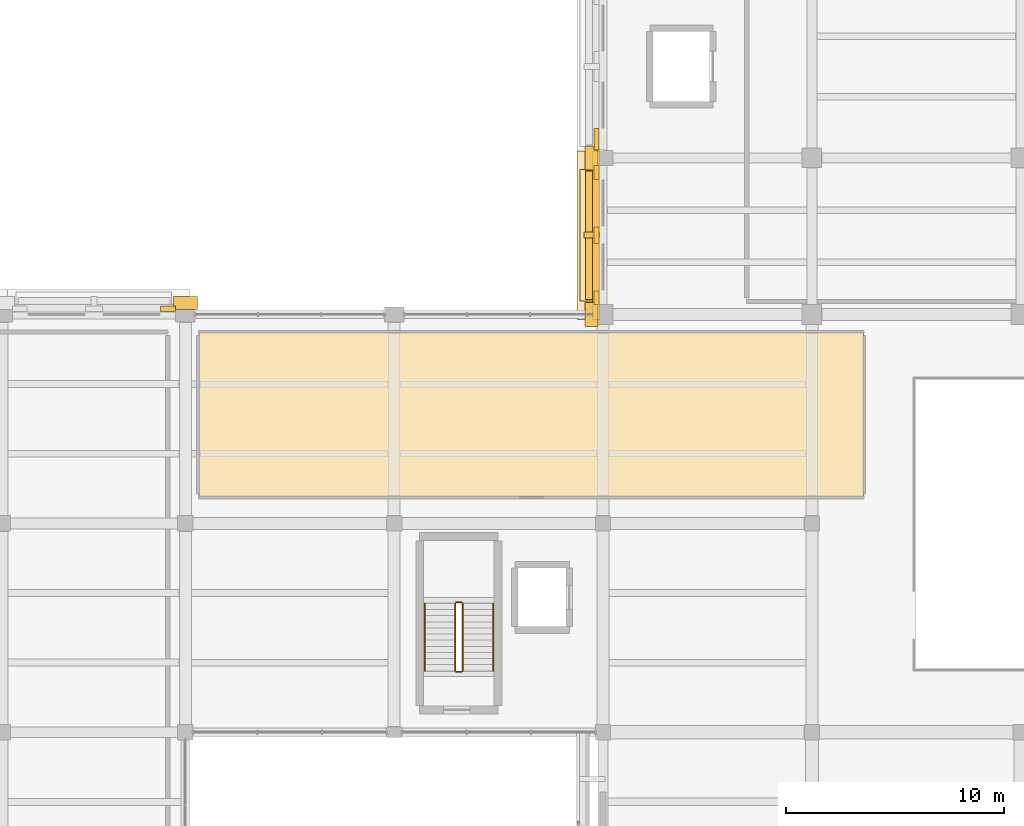
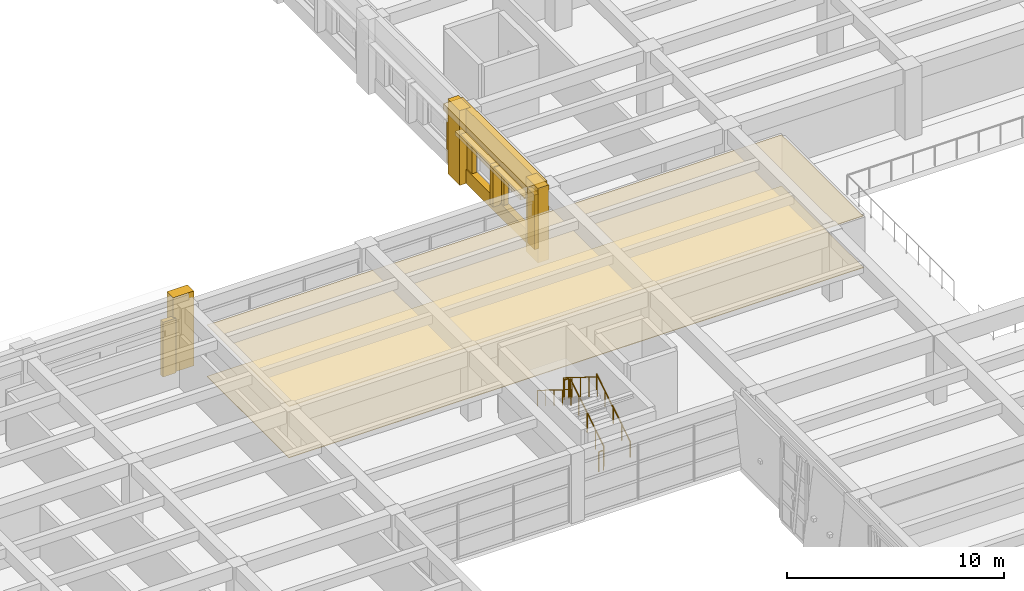
# One storey, part 56 of 62: 15 coverings, 6 railings, 1 shading device.
"""IFC4 building model written with IfcOpenShell, lengths in metres."""

from ifc_helpers import new_model, si_unit, direction, frame, origin, origin_2d, place, context, subcontext, project, spatial, polyline, rectangle, circle, outline, extrude, material, layer, layer_set, type_object, element, save


model = new_model("IFC4")

# Units and contexts
model_context = context("Model", 3, precision=1e-05, world=origin(), true_north=direction((0.0, 1.0)))
body_context = subcontext(model_context, "Body", "Model", "MODEL_VIEW")
ifc_project = project(units=[si_unit("LENGTHUNIT", "METRE"), si_unit("AREAUNIT", "SQUARE_METRE"), si_unit("VOLUMEUNIT", "CUBIC_METRE"), si_unit("PLANEANGLEUNIT", "RADIAN"), si_unit("MASSUNIT", "GRAM", prefix="KILO")], contexts=[model_context])

# Site, building, storey
site_placement = place(None, origin())
site = spatial("IfcSite", under=ifc_project, at=site_placement, CompositionType="ELEMENT")
building_placement = place(site_placement, origin())
building = spatial("IfcBuilding", under=site, at=building_placement, Name="Bempovik Park Faculty of Sciences", CompositionType="ELEMENT")
storey_placement = place(building_placement, frame((0.0, 0.0, 9.89990234375)))
storey = spatial("IfcBuildingStorey", under=building, at=storey_placement, Name="L02", CompositionType="ELEMENT", Elevation=9.89990234375)

# Coverings
ifc_material_1 = material(Name="Acoustic mineral ceiling tile")
ifc_layer_1 = layer(ifc_material_1, 0.0400390625)
ifc_layer_set_1 = layer_set([ifc_layer_1], Name="Acoustic mineral ceiling tile")
covering_type_1 = type_object("IfcCoveringType", Name="CE-01 Acoustic Ceiling 40mm", PredefinedType="CEILING", material=ifc_layer_set_1)
covering_1_placement = place(storey_placement, frame((0.0, 0.0, 2.880126953125)))
element("IfcCovering", 1, at=covering_1_placement, inside=storey, type_object=covering_type_1, Name="L02 Atrium Bridge Seminar Room Acoustic Ceiling", PredefinedType="CEILING", context=body_context, shape_type="SweptSolid", body=[
    extrude(outline(polyline([(41.429931640625, 78.6298828125), (71.969970703125, 78.6298828125), (71.969970703125, 86.169921875), (41.429931640625, 86.169921875), (41.429931640625, 78.6298828125)])), origin(), (0.0, 0.0, 1.0), 0.0400390625),
])
ifc_material_2 = material(Name="Precast concrete C40/50", Category="concrete")
ifc_layer_2 = layer(ifc_material_2, 0.179931640625)
ifc_layer_set_2 = layer_set([ifc_layer_2], Name="Precast concrete C40/50")
covering_type_2 = type_object("IfcCoveringType", Name="CL-02 Classical Cornice Band 180mm", PredefinedType="CLADDING", material=ifc_layer_set_2)
covering_2_placement = place(storey_placement, frame((59.3349609375, 90.64990234375, 3.83984375), z_axis=(0.0, 0.0, 1.0), x_axis=(1.0, 0.0, 0.0)))
element("IfcCovering", 2, at=covering_2_placement, inside=storey, type_object=covering_type_2, Name="L02 Classical Projecting Dentil Cornice EW-L02-7539", PredefinedType="CLADDING", context=body_context, shape_type="SweptSolid", body=[
    extrude(rectangle(XDim=1.050048828125, YDim=7.74609375, at=origin_2d()), origin(), (0.0, 0.0, 1.0), 0.360107421875),
])
covering_3_placement = place(storey_placement, frame((59.39990234375, 90.64990234375, 2.91015625), z_axis=(0.0, 0.0, 1.0), x_axis=(1.0, 0.0, 0.0)))
element("IfcCovering", 3, at=covering_3_placement, inside=storey, type_object=covering_type_2, Name="L02 Classical Stone Solar Window Hood EW-L02-7539", PredefinedType="CLADDING", context=body_context, shape_type="SweptSolid", body=[
    extrude(rectangle(XDim=0.919921875, YDim=6.0458984375, at=origin_2d()), origin(), (0.0, 0.0, 1.0), 0.219970703125),
])
ifc_material_3 = material(Name="White reconstituted limestone precast C40/50", Category="masonry")
ifc_layer_3 = layer(ifc_material_3, 0.239990234375)
ifc_layer_set_3 = layer_set([ifc_layer_3], Name="White reconstituted limestone precast C40/50")
covering_type_3 = type_object("IfcCoveringType", Name="CL-03 Classical Fluted Limestone Pilaster 240mm", PredefinedType="CLADDING", material=ifc_layer_set_3)
covering_4_placement = place(storey_placement, frame((40.800048828125, 87.530029296875, 0.0), z_axis=(0.0, 0.0, 1.0), x_axis=(1.0, 0.0, 0.0)))
element("IfcCovering", 4, at=covering_4_placement, inside=storey, type_object=covering_type_3, Name="L02 Classical Fluted Stone Pilaster PIL-BA-L02-408-875", PredefinedType="CLADDING", context=body_context, shape_type="SweptSolid", body=[
    extrude(rectangle(XDim=1.10009765625, YDim=0.580078125, at=origin_2d()), origin(), (0.0, 0.0, 1.0), 4.199951171875),
])
covering_5_placement = place(storey_placement, frame((40.006103515625, 87.27001953125, 0.0), z_axis=(0.0, 0.0, 1.0), x_axis=(1.0, 0.0, 0.0)))
element("IfcCovering", 5, at=covering_5_placement, inside=storey, type_object=covering_type_3, Name="L02 White Limestone Wall Cheek EW-L02-7490-4", PredefinedType="CLADDING", context=body_context, shape_type="SweptSolid", body=[
    extrude(rectangle(XDim=0.683837890625, YDim=0.239990234375, at=origin_2d()), origin(), (0.0, 0.0, 1.0), 3.080078125),
])
covering_6_placement = place(storey_placement, frame((59.68994140625, 90.64990234375, 2.919921875), z_axis=(0.0, 0.0, 1.0), x_axis=(1.0, 0.0, 0.0)))
element("IfcCovering", 6, at=covering_6_placement, inside=storey, type_object=covering_type_3, Name="L02 Classical Limestone Spandrel Entablature EW-L02-7539", PredefinedType="CLADDING", context=body_context, shape_type="SweptSolid", body=[
    extrude(rectangle(XDim=0.340087890625, YDim=7.74609375, at=origin_2d()), origin(), (0.0, 0.0, 1.0), 1.280029296875),
])
covering_7_placement = place(storey_placement, frame((59.68994140625, 90.64990234375, 0.0), z_axis=(0.0, 0.0, 1.0), x_axis=(1.0, 0.0, 0.0)))
element("IfcCovering", 7, at=covering_7_placement, inside=storey, type_object=covering_type_3, Name="L02 Classical Limestone Sill Dado EW-L02-7539", PredefinedType="CLADDING", context=body_context, shape_type="SweptSolid", body=[
    extrude(rectangle(XDim=0.340087890625, YDim=7.74609375, at=origin_2d()), origin(), (0.0, 0.0, 1.0), 0.780029296875),
])
for number, where, z_axis, x_axis, name in (
    (8, (59.469970703125, 87.0, 0.0), (0.0, 0.0, 1.0), (1.0, 0.0, 0.0), "L02 Classical Fluted Stone Pilaster PIL-BA-L02-595-870"),
    (9, (59.469970703125, 94.199951171875, 0.0), (0.0, 0.0, 1.0), (1.0, 0.0, 0.0), "L02 Classical Fluted Stone Pilaster PIL-BA-L02-595-942"),
):
    element("IfcCovering", number, at=place(storey_placement, frame(where, z_axis=z_axis, x_axis=x_axis)), inside=storey, type_object=covering_type_3, Name=name, PredefinedType="CLADDING", context=body_context, shape_type="SweptSolid", body=[
        extrude(rectangle(XDim=0.580078125, YDim=1.10009765625, at=origin_2d()), origin(), (0.0, 0.0, 1.0), 4.199951171875),
    ])
covering_8_placement = place(storey_placement, frame((59.699951171875, 87.7705078125, 0.0), z_axis=(0.0, 0.0, 1.0), x_axis=(1.0, 0.0, 0.0)))
element("IfcCovering", 10, at=covering_8_placement, inside=storey, type_object=covering_type_3, Name="L02 White Limestone Wall Cheek EW-L02-7539-0", PredefinedType="CLADDING", context=body_context, shape_type="SweptSolid", body=[
    extrude(rectangle(XDim=0.239990234375, YDim=0.636962890625, at=origin_2d()), origin(), (0.0, 0.0, 1.0), 3.080078125),
])
covering_9_placement = place(storey_placement, frame((59.699951171875, 90.64990234375, 0.0), z_axis=(0.0, 0.0, 1.0), x_axis=(1.0, 0.0, 0.0)))
element("IfcCovering", 11, at=covering_9_placement, inside=storey, type_object=covering_type_3, Name="L02 White Limestone Wall Cheek EW-L02-7539-2", PredefinedType="CLADDING", context=body_context, shape_type="SweptSolid", body=[
    extrude(rectangle(XDim=0.239990234375, YDim=0.76220703125, at=origin_2d()), origin(), (0.0, 0.0, 1.0), 3.080078125),
])
covering_10_placement = place(storey_placement, frame((59.699951171875, 93.529541015625, 0.0), z_axis=(0.0, 0.0, 1.0), x_axis=(1.0, 0.0, 0.0)))
element("IfcCovering", 12, at=covering_10_placement, inside=storey, type_object=covering_type_3, Name="L02 White Limestone Wall Cheek EW-L02-7539-4", PredefinedType="CLADDING", context=body_context, shape_type="SweptSolid", body=[
    extrude(rectangle(XDim=0.239990234375, YDim=0.636962890625, at=origin_2d()), origin(), (0.0, 0.0, 1.0), 3.080078125),
])
covering_11_placement = place(storey_placement, frame((59.489990234375, 90.64990234375, 0.7001953125), z_axis=(0.0, 0.0, 1.0), x_axis=(1.0, 0.0, 0.0)))
element("IfcCovering", 13, at=covering_11_placement, inside=storey, type_object=covering_type_3, Name="L02 Classical Vertical Stone Shading Fin EW-L02-7539", PredefinedType="CLADDING", context=body_context, shape_type="SweptSolid", body=[
    extrude(rectangle(XDim=0.719970703125, YDim=0.280029296875, at=origin_2d()), origin(), (0.0, 0.0, 1.0), 2.25),
])
covering_12_placement = place(storey_placement, frame((59.699951171875, 95.0458984375, 0.0), z_axis=(0.0, 0.0, 1.0), x_axis=(1.0, 0.0, 0.0)))
element("IfcCovering", 14, at=covering_12_placement, inside=storey, type_object=covering_type_3, Name="L02 White Limestone Wall Cheek EW-L02-7553-0", PredefinedType="CLADDING", context=body_context, shape_type="SweptSolid", body=[
    extrude(rectangle(XDim=0.239990234375, YDim=0.98779296875, at=origin_2d()), origin(), (0.0, 0.0, 1.0), 3.080078125),
])
ifc_material_4 = material(Name="Polished mineral terrazzo flooring")
ifc_layer_4 = layer(ifc_material_4, 0.030029296875)
ifc_layer_set_4 = layer_set([ifc_layer_4], Name="Polished mineral terrazzo flooring")
covering_type_4 = type_object("IfcCoveringType", Name="FL-01 Terrazzo Flooring 30mm", PredefinedType="FLOORING", material=ifc_layer_set_4)
covering_13_placement = place(storey_placement, origin())
element("IfcCovering", 15, at=covering_13_placement, inside=storey, type_object=covering_type_4, Name="L02 Atrium Bridge Seminar Room Terrazzo Flooring", PredefinedType="FLOORING", context=body_context, shape_type="SweptSolid", body=[
    extrude(outline(polyline([(41.429931640625, 78.6298828125), (71.969970703125, 78.6298828125), (71.969970703125, 86.169921875), (41.429931640625, 86.169921875), (41.429931640625, 78.6298828125)])), origin(), (0.0, 0.0, 1.0), 0.030029296875),
])

# Railings
ifc_material_5 = material(Name="Anodised architectural bronze")
railing_type_1 = type_object("IfcRailingType", Name="GR-01 Guardrail 1120mm", PredefinedType="GUARDRAIL", material=ifc_material_5)
railing_1_placement = place(storey_placement, frame((53.550048828125, 70.625, 0.175048828125)))
element("IfcRailing", 16, at=railing_1_placement, inside=storey, type_object=railing_type_1, Name="L02 ST-4 Stair Guard 1", PredefinedType="GUARDRAIL", context=body_context, shape_type="SweptSolid", body=[
    extrude(circle(Radius=0.02392578125, at=origin_2d()), frame((0.0, 0.0, 1.09619140625), z_axis=(0.0, 0.84905059285, 0.528311547082), x_axis=(-1.0, 0.0, 0.0)), (0.0, 0.0, 1.0), 3.643798828125),
    extrude(circle(Radius=0.02099609375, at=origin_2d()), origin(), (0.0, 0.0, 1.0), 1.072021484375),
    extrude(circle(Radius=0.02099609375, at=origin_2d()), frame((0.0, 0.7734375, 0.481201171875)), (0.0, 0.0, 1.0), 1.072021484375),
    extrude(circle(Radius=0.02099609375, at=origin_2d()), frame((0.0, 1.546875, 0.96240234375)), (0.0, 0.0, 1.0), 1.072021484375),
    extrude(circle(Radius=0.02099609375, at=origin_2d()), frame((0.0, 2.3203125, 1.44384765625)), (0.0, 0.0, 1.0), 1.072021484375),
    extrude(circle(Radius=0.02099609375, at=origin_2d()), frame((0.0, 3.09375, 1.925048828125)), (0.0, 0.0, 1.0), 1.072021484375),
])
railing_2_placement = place(storey_placement, frame((53.5, 73.768798828125, 2.10009765625)))
element("IfcRailing", 17, at=railing_2_placement, inside=storey, type_object=railing_type_1, Name="L02 ST-4 Stair Guard 2", PredefinedType="GUARDRAIL", context=body_context, shape_type="SweptSolid", body=[
    extrude(circle(Radius=0.02392578125, at=origin_2d()), frame((0.0, 0.0, 1.09619140625), z_axis=(-1.0, 0.0, 0.0), x_axis=(0.0, -1.0, 0.0)), (0.0, 0.0, 1.0), 0.25),
    extrude(circle(Radius=0.02099609375, at=origin_2d()), origin(), (0.0, 0.0, 1.0), 1.072021484375),
    extrude(circle(Radius=0.02099609375, at=origin_2d()), frame((-0.25, 0.0, 0.0)), (0.0, 0.0, 1.0), 1.072021484375),
])
railing_3_placement = place(storey_placement, frame((53.199951171875, 73.71875, 2.275146484375)))
element("IfcRailing", 18, at=railing_3_placement, inside=storey, type_object=railing_type_1, Name="L02 ST-4 Stair Guard 3", PredefinedType="GUARDRAIL", context=body_context, shape_type="SweptSolid", body=[
    extrude(circle(Radius=0.02392578125, at=origin_2d()), frame((0.0, 0.0, 1.09619140625), z_axis=(0.0, -0.84905059285, 0.528311547082), x_axis=(1.0, 0.0, 0.0)), (0.0, 0.0, 1.0), 3.643798828125),
    extrude(circle(Radius=0.02099609375, at=origin_2d()), origin(), (0.0, 0.0, 1.0), 1.072021484375),
    extrude(circle(Radius=0.02099609375, at=origin_2d()), frame((0.0, -0.7734375, 0.481201171875)), (0.0, 0.0, 1.0), 1.072021484375),
    extrude(circle(Radius=0.02099609375, at=origin_2d()), frame((0.0, -1.546875, 0.96240234375)), (0.0, 0.0, 1.0), 1.072021484375),
    extrude(circle(Radius=0.02099609375, at=origin_2d()), frame((0.0, -2.3203125, 1.44384765625)), (0.0, 0.0, 1.0), 1.072021484375),
    extrude(circle(Radius=0.02099609375, at=origin_2d()), frame((0.0, -3.09375, 1.925048828125)), (0.0, 0.0, 1.0), 1.072021484375),
])
railing_4_placement = place(storey_placement, frame((53.5, 70.574951171875, 0.0)))
element("IfcRailing", 19, at=railing_4_placement, inside=storey, type_object=railing_type_1, Name="L02 ST-4 Stair Guard 4", PredefinedType="GUARDRAIL", context=body_context, shape_type="SweptSolid", body=[
    extrude(circle(Radius=0.02392578125, at=origin_2d()), frame((0.0, 0.0, 1.09619140625), z_axis=(-1.0, 0.0, 0.0), x_axis=(0.0, -1.0, 0.0)), (0.0, 0.0, 1.0), 0.25),
    extrude(circle(Radius=0.02099609375, at=origin_2d()), origin(), (0.0, 0.0, 1.0), 1.072021484375),
    extrude(circle(Radius=0.02099609375, at=origin_2d()), frame((-0.25, 0.0, 0.0)), (0.0, 0.0, 1.0), 1.072021484375),
])
railing_type_2 = type_object("IfcRailingType", Name="HR-01 Wall Handrail 900mm", PredefinedType="HANDRAIL", material=ifc_material_5)
railing_5_placement = place(storey_placement, frame((54.949951171875, 70.625, 0.175048828125)))
element("IfcRailing", 20, at=railing_5_placement, inside=storey, type_object=railing_type_2, Name="L02 ST-4 Stair Handrail 1", PredefinedType="HANDRAIL", context=body_context, shape_type="SweptSolid", body=[
    extrude(circle(Radius=0.02392578125, at=origin_2d()), frame((0.0, 0.0, 0.8759765625), z_axis=(0.0, 0.84905059285, 0.528311547082), x_axis=(-1.0, 0.0, 0.0)), (0.0, 0.0, 1.0), 3.643798828125),
    extrude(circle(Radius=0.02099609375, at=origin_2d()), origin(), (0.0, 0.0, 1.0), 0.851806640625),
    extrude(circle(Radius=0.02099609375, at=origin_2d()), frame((0.0, 0.7734375, 0.481201171875)), (0.0, 0.0, 1.0), 0.851806640625),
    extrude(circle(Radius=0.02099609375, at=origin_2d()), frame((0.0, 1.546875, 0.96240234375)), (0.0, 0.0, 1.0), 0.851806640625),
    extrude(circle(Radius=0.02099609375, at=origin_2d()), frame((0.0, 2.3203125, 1.44384765625)), (0.0, 0.0, 1.0), 0.851806640625),
    extrude(circle(Radius=0.02099609375, at=origin_2d()), frame((0.0, 3.09375, 1.925048828125)), (0.0, 0.0, 1.0), 0.851806640625),
])
railing_6_placement = place(storey_placement, frame((51.800048828125, 73.71875, 2.275146484375)))
element("IfcRailing", 21, at=railing_6_placement, inside=storey, type_object=railing_type_2, Name="L02 ST-4 Stair Handrail 2", PredefinedType="HANDRAIL", context=body_context, shape_type="SweptSolid", body=[
    extrude(circle(Radius=0.02392578125, at=origin_2d()), frame((0.0, 0.0, 0.8759765625), z_axis=(0.0, -0.84905059285, 0.528311547082), x_axis=(1.0, 0.0, 0.0)), (0.0, 0.0, 1.0), 3.643798828125),
    extrude(circle(Radius=0.02099609375, at=origin_2d()), origin(), (0.0, 0.0, 1.0), 0.851806640625),
    extrude(circle(Radius=0.02099609375, at=origin_2d()), frame((0.0, -0.7734375, 0.481201171875)), (0.0, 0.0, 1.0), 0.851806640625),
    extrude(circle(Radius=0.02099609375, at=origin_2d()), frame((0.0, -1.546875, 0.96240234375)), (0.0, 0.0, 1.0), 0.851806640625),
    extrude(circle(Radius=0.02099609375, at=origin_2d()), frame((0.0, -2.3203125, 1.44384765625)), (0.0, 0.0, 1.0), 0.851806640625),
    extrude(circle(Radius=0.02099609375, at=origin_2d()), frame((0.0, -3.09375, 1.925048828125)), (0.0, 0.0, 1.0), 0.851806640625),
])

# Shading device
ifc_layer_5 = layer(ifc_material_5, 0.06005859375)
ifc_layer_set_5 = layer_set([ifc_layer_5], Name="Anodised architectural bronze")
shading_device_type = type_object("IfcShadingDeviceType", Name="SH-01 Bronze Brise-Soleil Fin", PredefinedType="USERDEFINED", material=ifc_layer_set_5)
shading_device_placement = place(storey_placement, frame((59.52001953125, 90.64990234375, 2.85009765625), z_axis=(0.0, 0.0, 1.0), x_axis=(1.0, 0.0, 0.0)))
element("IfcShadingDevice", 22, at=shading_device_placement, inside=storey, type_object=shading_device_type, Name="L02 Equatorial Bronze Brise-Soleil EW-L02-7539", ObjectType="BRISE SOLEIL", PredefinedType="USERDEFINED", context=body_context, shape_type="SweptSolid", body=[
    extrude(rectangle(XDim=0.64990234375, YDim=5.89599609375, at=origin_2d()), origin(), (0.0, 0.0, 1.0), 0.06005859375),
])

save(model, "model.ifc")
